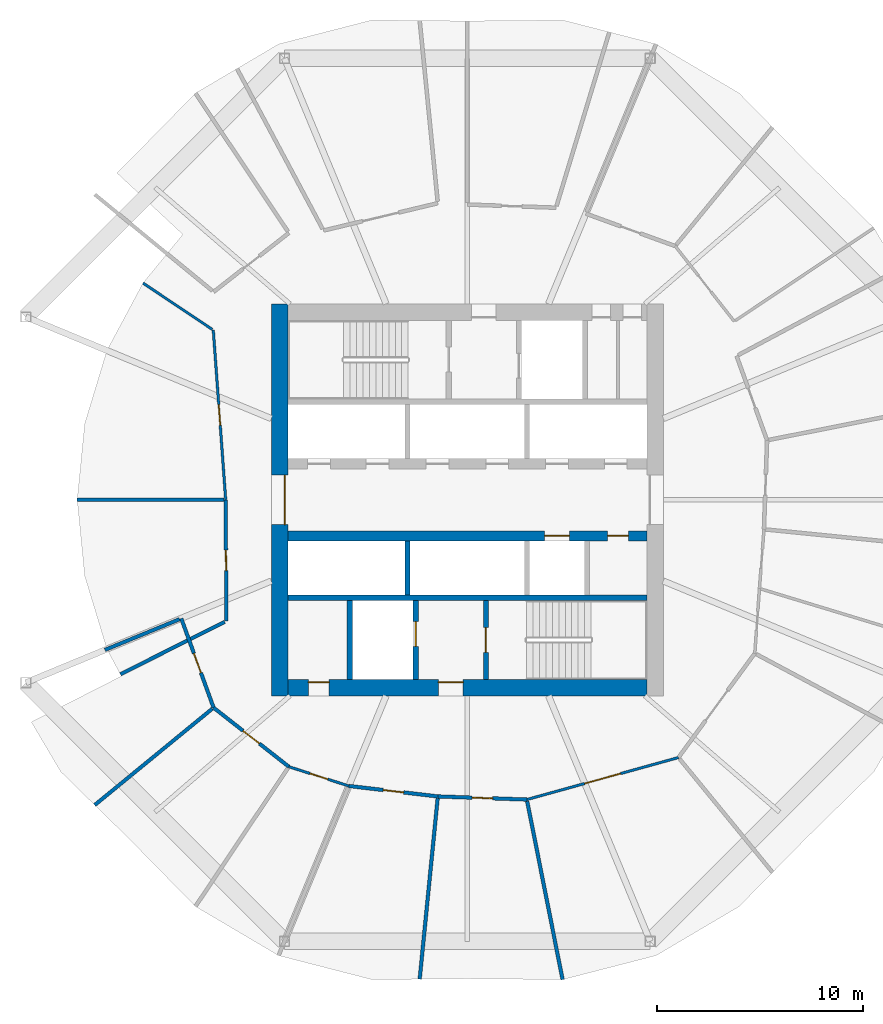
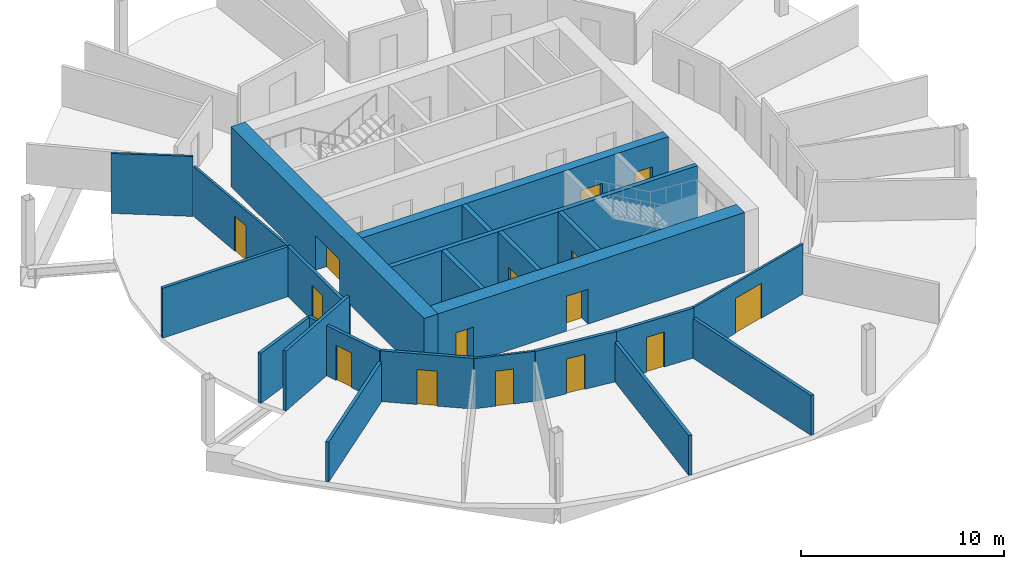
# One storey, part 4 of 10: 23 walls, 15 doors, 15 openings.
"""IFC4 building model written with IfcOpenShell, lengths in metres."""

import ifcopenshell
import ifcopenshell.guid

model = None  # the IFC model being written
_history = None  # IfcOwnerHistory: only IFC2X3 demands one
_inside = {}  # id of a spatial element -> (the spatial element, [elements in it])
_under = {}  # id of a project, library or spatial element -> (it, [spatial elements below it])
_declared = {}  # id of a project -> (the project, [libraries it declares])
_typed = {}  # id of a type object -> (the type object, [elements of that type])
_made_of = {}  # id of a material, layer set ... -> (it, [elements and type objects made of it])


def new_model(schema):
    """Start an empty IFC model of exactly this schema.

    Asked for "IFC4X3", IfcOpenShell would pick the latest addendum, in which some entities
    have other attributes; the version numbers below select the first issue.
    IFC2X3 requires an IfcOwnerHistory on every rooted entity: one is made here for all.
    """
    global model, _history
    if schema == "IFC4X3":
        model = ifcopenshell.file(schema_version=(4, 3, 0, 0))
    else:
        model = ifcopenshell.file(schema=schema)
    _inside.clear()
    _under.clear()
    _declared.clear()
    _typed.clear()
    _made_of.clear()
    _history = None
    if model.schema == "IFC2X3":
        org = make("IfcOrganization", Name="unknown")
        user = make(
            "IfcPersonAndOrganization",
            ThePerson=make("IfcPerson", FamilyName="unknown"),
            TheOrganization=org,
        )
        app = make(
            "IfcApplication",
            ApplicationDeveloper=org,
            Version="unknown",
            ApplicationFullName="unknown",
            ApplicationIdentifier="unknown",
        )
        _history = make(
            "IfcOwnerHistory",
            OwningUser=user,
            OwningApplication=app,
            ChangeAction="ADDED",
            CreationDate=0,
        )
    return model


def make(cls, **values):
    """One entity of the class cls with the attributes given. An attribute that is None is left unset."""
    return model.create_entity(
        cls, **{name: value for name, value in values.items() if value is not None}
    )


def rooted(cls, **values):
    """An entity with a GlobalId (a new one), such as an element, a storey or a relation."""
    return make(cls, GlobalId=ifcopenshell.guid.new(), OwnerHistory=_history, **values)


def si_unit(unit_type, name, prefix=None):
    """IfcSIUnit, for example si_unit("LENGTHUNIT", "METRE", prefix="MILLI")."""
    return make("IfcSIUnit", UnitType=unit_type, Prefix=prefix, Name=name)


def assignment(units):
    """IfcUnitAssignment: the units of a project."""
    return None if units is None else make("IfcUnitAssignment", Units=units)


def point(xyz):
    """IfcCartesianPoint."""
    return None if xyz is None else make("IfcCartesianPoint", Coordinates=xyz)


def direction(xyz):
    """IfcDirection."""
    return None if xyz is None else make("IfcDirection", DirectionRatios=xyz)


def frame(location, z_axis=None, x_axis=None):
    """IfcAxis2Placement3D, a coordinate frame: its origin and axes. An axis left out is left unset."""
    return make(
        "IfcAxis2Placement3D",
        Location=point(location),
        Axis=direction(z_axis),
        RefDirection=direction(x_axis),
    )


def frame_2d(location, x_axis=None):
    """IfcAxis2Placement2D, a coordinate frame in the plane: its origin and x axis."""
    return make(
        "IfcAxis2Placement2D", Location=point(location), RefDirection=direction(x_axis)
    )


def origin():
    """The frame at (0, 0, 0) with its axes left unset."""
    return frame((0.0, 0.0, 0.0))


def place(relative_to, where):
    """IfcLocalPlacement: puts the frame where relative to a parent placement (None: the world)."""
    return make(
        "IfcLocalPlacement", PlacementRelTo=relative_to, RelativePlacement=where
    )


def context(
    kind, dimensions, precision=None, world=None, true_north=None, identifier=None
):
    """IfcGeometricRepresentationContext, for example the 3D "Model" context."""
    return make(
        "IfcGeometricRepresentationContext",
        ContextIdentifier=identifier,
        ContextType=kind,
        CoordinateSpaceDimension=dimensions,
        Precision=precision,
        WorldCoordinateSystem=world,
        TrueNorth=true_north,
    )


def subcontext(parent, identifier, kind, view, scale=None):
    """IfcGeometricRepresentationSubContext, for example "Body" below "Model"."""
    return make(
        "IfcGeometricRepresentationSubContext",
        ContextIdentifier=identifier,
        ContextType=kind,
        ParentContext=parent,
        TargetScale=scale,
        TargetView=view,
    )


def project(units=None, contexts=None):
    """IfcProject with its units and contexts."""
    return rooted(
        "IfcProject",
        Name="project",
        RepresentationContexts=contexts,
        UnitsInContext=assignment(units),
    )


def spatial(cls, under=None, at=None, **own):
    """A site, building, storey or space (cls), placed at a placement, below another one or the project."""
    s = rooted(cls, ObjectPlacement=at, **own)
    if under is not None:
        _under.setdefault(under.id(), (under, []))[1].append(s)
    return s


def profile(cls, at=None, kind="AREA", **sizes):
    """A parametric profile (cls). Its sizes go by their IFC names, for example OverallWidth=200.0."""
    return make(cls, ProfileType=kind, Position=at, **sizes)


def rectangle(**sizes):
    """IfcRectangleProfileDef."""
    return profile("IfcRectangleProfileDef", **sizes)


def extrude(swept, where, along, depth):
    """IfcExtrudedAreaSolid: the profile swept, set in the frame where, extruded along a direction by depth."""
    return make(
        "IfcExtrudedAreaSolid",
        SweptArea=swept,
        Position=where,
        ExtrudedDirection=direction(along),
        Depth=depth,
    )


def shape(context_of_items, identifier, shape_type, items):
    """IfcShapeRepresentation: the items that make up one representation, for example the "Body"."""
    return make(
        "IfcShapeRepresentation",
        ContextOfItems=context_of_items,
        RepresentationIdentifier=identifier,
        RepresentationType=shape_type,
        Items=items,
    )


def material(Name=None, Category=None):
    """IfcMaterial."""
    return make("IfcMaterial", Name=Name, Category=Category)


def layer(
    of_material, thickness, ventilated=None, Name=None, Category=None, Priority=None
):
    """IfcMaterialLayer: one layer of a wall or slab, of a material (None: an air gap)."""
    return make(
        "IfcMaterialLayer",
        Material=of_material,
        LayerThickness=thickness,
        IsVentilated=ventilated,
        Name=Name,
        Category=Category,
        Priority=Priority,
    )


def layer_set(layers, Name=None):
    """IfcMaterialLayerSet."""
    return make("IfcMaterialLayerSet", MaterialLayers=layers, LayerSetName=Name)


def made_of(thing, what):
    """Note that an element or type object is made of a material, layer set ...; save() writes the relation."""
    if what is not None:
        _made_of.setdefault(what.id(), (what, []))[1].append(thing)
    return thing


def type_object(cls, material=None, **own):
    """A type object (cls), such as IfcWallType, which elements share."""
    return made_of(rooted(cls, **own), material)


def element(
    cls,
    number,
    at=None,
    inside=None,
    cuts=None,
    type_object=None,
    material=None,
    context=None,
    identifier="Body",
    shape_type=None,
    held_by="IfcProductDefinitionShape",
    body=None,
    shapes=None,
    **own,
):
    """One element of the class cls, such as IfcWall. Its Tag is "e" and its number.

    at: its placement. inside: the storey or other place that contains it. cuts: it is an
    opening in that element (IfcRelVoidsElement). A single representation is given by context,
    identifier, shape_type and body (its items); several are given by shapes. held_by: the class
    of the entity that holds the representations. save() writes the other relations.
    """
    e = rooted(cls, Tag="e%d" % number, ObjectPlacement=at, **own)
    if body is not None:
        shapes = [shape(context, identifier, shape_type, body)]
    if shapes is not None:
        e.Representation = make(held_by, Representations=shapes)
    if inside is not None:
        _inside.setdefault(inside.id(), (inside, []))[1].append(e)
    if cuts is not None:
        rooted(
            "IfcRelVoidsElement", RelatingBuildingElement=cuts, RelatedOpeningElement=e
        )
    if type_object is not None:
        _typed.setdefault(type_object.id(), (type_object, []))[1].append(e)
    return made_of(e, material)


def fill(opening, filler):
    """IfcRelFillsElement: the door or window that sits in an opening."""
    return rooted(
        "IfcRelFillsElement",
        RelatingOpeningElement=opening,
        RelatedBuildingElement=filler,
    )


def aggregate(whole, parts):
    """IfcRelAggregates: a whole, such as a stair, and the parts it consists of."""
    return rooted("IfcRelAggregates", RelatingObject=whole, RelatedObjects=parts)


def save(model, path):
    """Write the relations noted so far, then the file.

    IfcRelAggregates (storeys below a building ...), IfcRelContainedInSpatialStructure (elements
    in a storey), IfcRelDefinesByType, IfcRelAssociatesMaterial and IfcRelDeclares: one each for
    every whole, place, type object, material and project.
    """
    for whole, parts in _under.values():
        aggregate(whole, parts)
    for where, things in _inside.values():
        rooted(
            "IfcRelContainedInSpatialStructure",
            RelatedElements=things,
            RelatingStructure=where,
        )
    for kind, things in _typed.values():
        rooted("IfcRelDefinesByType", RelatedObjects=things, RelatingType=kind)
    for what, things in _made_of.values():
        rooted("IfcRelAssociatesMaterial", RelatedObjects=things, RelatingMaterial=what)
    for by, libraries in _declared.values():
        rooted("IfcRelDeclares", RelatingContext=by, RelatedDefinitions=libraries)
    model.write(path)


model = new_model("IFC4")

# Units and contexts
model_context = context("Model", 3, precision=1e-05, world=origin(), true_north=direction((0.0, 1.0)))
body_context = subcontext(model_context, "Body", "Model", "MODEL_VIEW")
ifc_project = project(units=[si_unit("LENGTHUNIT", "METRE"), si_unit("AREAUNIT", "SQUARE_METRE"), si_unit("VOLUMEUNIT", "CUBIC_METRE"), si_unit("PLANEANGLEUNIT", "RADIAN"), si_unit("MASSUNIT", "GRAM", prefix="KILO")], contexts=[model_context])

# Site, building, storey
site_placement = place(None, origin())
site = spatial("IfcSite", under=ifc_project, at=site_placement, CompositionType="ELEMENT")
building_placement = place(site_placement, origin())
building = spatial("IfcBuilding", under=site, at=building_placement, Name="Ogive Gate Towers", CompositionType="ELEMENT")
storey_placement = place(building_placement, frame((0.0, 0.0, 103.5)))
storey = spatial("IfcBuildingStorey", under=building, at=storey_placement, Name="L24", CompositionType="ELEMENT", Elevation=103.5)

# Walls
ifc_material_1 = material(Name="Gypsum board acoustic partition")
ifc_layer_1 = layer(ifc_material_1, 0.175048828125)
ifc_layer_set_1 = layer_set([ifc_layer_1], Name="Acoustic partition 175")
wall_type_1 = type_object("IfcWallType", Name="Acoustic partition 175", PredefinedType="PARTITIONING", material=ifc_layer_set_1)
wall_1_placement = place(storey_placement, frame((-54.909423828125, 0.0, 0.0), z_axis=(0.0, 0.0, 1.0), x_axis=(1.0, 0.0, 0.0)))
element("IfcWall", 1, at=wall_1_placement, inside=storey, type_object=wall_type_1, Name="Partition T1-L24-013", PredefinedType="PARTITIONING", context=body_context, shape_type="SweptSolid", body=[
    extrude(rectangle(XDim=7.111328125, YDim=0.175048828125, at=frame_2d((3.5556640625, 0.0))), origin(), (0.0, 0.0, 1.0), 3.0),
])
wall_2_placement = place(storey_placement, frame((-53.5634765625, -7.27490234375, 0.0), z_axis=(0.0, 0.0, 1.0), x_axis=(0.924753007922, 0.380567831456, 0.0)))
element("IfcWall", 2, at=wall_2_placement, inside=storey, type_object=wall_type_1, Name="Partition T1-L24-014", PredefinedType="PARTITIONING", context=body_context, shape_type="SweptSolid", body=[
    extrude(rectangle(XDim=3.913818359375, YDim=0.175048828125, at=frame_2d((1.95703125, 0.0))), origin(), (0.0, 0.0, 1.0), 3.010009765625),
])
wall_3_placement = place(storey_placement, frame((-52.817138671875, -8.45703125, 0.0), z_axis=(0.0, 0.0, 1.0), x_axis=(0.893407189566, 0.449247808712, 0.0)))
element("IfcWall", 3, at=wall_3_placement, inside=storey, type_object=wall_type_1, Name="Partition T1-L24-015", PredefinedType="PARTITIONING", context=body_context, shape_type="SweptSolid", body=[
    extrude(rectangle(XDim=5.66162109375, YDim=0.175048828125, at=frame_2d((2.830810546875, 0.0))), origin(), (0.0, 0.0, 1.0), 3.60009765625),
])
wall_4_placement = place(storey_placement, frame((-54.06005859375, -14.794677734375, 0.0), z_axis=(0.0, 0.0, 1.0), x_axis=(0.773581852643, 0.633696392022, 0.0)))
element("IfcWall", 4, at=wall_4_placement, inside=storey, type_object=wall_type_1, Name="Partition T1-L24-016", PredefinedType="PARTITIONING", context=body_context, shape_type="SweptSolid", body=[
    extrude(rectangle(XDim=7.361572265625, YDim=0.175048828125, at=frame_2d((3.6806640625, 0.0))), origin(), (0.0, 0.0, 1.0), 2.39990234375),
])
wall_5_placement = place(storey_placement, frame((-38.308837890625, -23.231689453125, 0.0), z_axis=(0.0, 0.0, 1.0), x_axis=(0.098886463601, 0.995098722397, 0.0)))
element("IfcWall", 5, at=wall_5_placement, inside=storey, type_object=wall_type_1, Name="Partition T1-L24-019", PredefinedType="PARTITIONING", context=body_context, shape_type="SweptSolid", body=[
    extrude(rectangle(XDim=8.8115234375, YDim=0.175048828125, at=frame_2d((4.40576171875, 0.0))), origin(), (0.0, 0.0, 1.0), 2.39990234375),
])
wall_6_placement = place(storey_placement, frame((-31.3818359375, -23.25537109375, 0.0), z_axis=(0.0, 0.0, 1.0), x_axis=(-0.194783861895, 0.980846189341, 0.0)))
element("IfcWall", 6, at=wall_6_placement, inside=storey, type_object=wall_type_1, Name="Partition T1-L24-020", PredefinedType="PARTITIONING", context=body_context, shape_type="SweptSolid", body=[
    extrude(rectangle(XDim=8.811279296875, YDim=0.175048828125, at=frame_2d((4.40576171875, 0.0))), origin(), (0.0, 0.0, 1.0), 2.39990234375),
])

# Wall, opening, door
wall_7_placement = place(storey_placement, frame((-33.115234375, -14.52685546875, 0.0), z_axis=(0.0, 0.0, 1.0), x_axis=(-0.999392759226, 0.034844121558, 0.0)))
wall_7 = element("IfcWall", 7, at=wall_7_placement, inside=storey, type_object=wall_type_1, Name="Partition T1-L24-033", PredefinedType="PARTITIONING", context=body_context, shape_type="SweptSolid", body=[
    extrude(rectangle(XDim=4.316162109375, YDim=0.175048828125, at=frame_2d((2.158203125, 0.0))), origin(), (0.0, 0.0, 1.0), 3.0),
])
opening_1_placement = place(wall_7_placement, frame((1.657958984375, 0.0, 0.0)))
opening_1 = element("IfcOpeningElement", 8, at=opening_1_placement, cuts=wall_7, Name="Opening T1-L24-D09", PredefinedType="OPENING", context=body_context, shape_type="SweptSolid", body=[
    extrude(rectangle(XDim=1.0, YDim=2.10009765625, at=frame_2d((0.5, 1.050048828125))), frame((0.0, 0.09765625, 0.0), z_axis=(0.0, -1.0, 0.0), x_axis=(1.0, 0.0, 0.0)), (0.0, 0.0, 1.0), 0.195068359375),
])
ifc_material_2 = material(Name="Timber door", Category="wood")
door_type_1 = type_object("IfcDoorType", Name="Door 1000", OperationType="NOTDEFINED", PredefinedType="DOOR", material=ifc_material_2)
door_1_placement = place(opening_1_placement, origin())
door_1 = element("IfcDoor", 9, at=door_1_placement, inside=storey, type_object=door_type_1, Name="Door T1-L24-D09", OperationType="SINGLE_SWING_LEFT", OverallHeight=2.10009765625, OverallWidth=1.0, PredefinedType="DOOR", context=body_context, shape_type="SweptSolid", body=[
    extrude(rectangle(XDim=1.0, YDim=2.10009765625, at=frame_2d((0.5, 1.050048828125))), frame((0.0, 0.02490234375, 0.0), z_axis=(0.0, -1.0, 0.0), x_axis=(1.0, 0.0, 0.0)), (0.0, 0.0, 1.0), 0.050048828125),
])
fill(opening_1, door_1)

wall_8_placement = place(storey_placement, frame((-37.4287109375, -14.37646484375, 0.0), z_axis=(0.0, 0.0, 1.0), x_axis=(-0.993141780999, 0.116916221432, 0.0)))
wall_8 = element("IfcWall", 10, at=wall_8_placement, inside=storey, type_object=wall_type_1, Name="Partition T1-L24-034", PredefinedType="PARTITIONING", context=body_context, shape_type="SweptSolid", body=[
    extrude(rectangle(XDim=4.345458984375, YDim=0.175048828125, at=frame_2d((2.1728515625, 0.0))), origin(), (0.0, 0.0, 1.0), 3.010009765625),
])
opening_2_placement = place(wall_8_placement, frame((1.673095703125, 0.0, 0.0)))
opening_2 = element("IfcOpeningElement", 11, at=opening_2_placement, cuts=wall_8, Name="Opening T1-L24-D10", PredefinedType="OPENING", context=body_context, shape_type="SweptSolid", body=[
    extrude(rectangle(XDim=1.0, YDim=2.10009765625, at=frame_2d((0.5, 1.050048828125))), frame((0.0, 0.09765625, 0.0), z_axis=(0.0, -1.0, 0.0), x_axis=(1.0, 0.0, 0.0)), (0.0, 0.0, 1.0), 0.195068359375),
])
door_2_placement = place(opening_2_placement, origin())
door_2 = element("IfcDoor", 12, at=door_2_placement, inside=storey, type_object=door_type_1, Name="Door T1-L24-D10", OperationType="SINGLE_SWING_LEFT", OverallHeight=2.10009765625, OverallWidth=1.0, PredefinedType="DOOR", context=body_context, shape_type="SweptSolid", body=[
    extrude(rectangle(XDim=1.0, YDim=2.10009765625, at=frame_2d((0.5, 1.050048828125))), frame((0.0, 0.02490234375, 0.0), z_axis=(0.0, -1.0, 0.0), x_axis=(1.0, 0.0, 0.0)), (0.0, 0.0, 1.0), 0.050048828125),
])
fill(opening_2, door_2)

wall_9_placement = place(storey_placement, frame((-44.649169921875, -12.935302734375, 0.0), z_axis=(0.0, 0.0, 1.0), x_axis=(-0.786899039994, 0.61708176189, 0.0)))
wall_9 = element("IfcWall", 13, at=wall_9_placement, inside=storey, type_object=wall_type_1, Name="Partition T1-L24-036", PredefinedType="PARTITIONING", context=body_context, shape_type="SweptSolid", body=[
    extrude(rectangle(XDim=4.636474609375, YDim=0.175048828125, at=frame_2d((2.318359375, 0.0))), origin(), (0.0, 0.0, 1.0), 3.050048828125),
])
opening_3_placement = place(wall_9_placement, frame((1.818115234375, 0.0, 0.0)))
opening_3 = element("IfcOpeningElement", 14, at=opening_3_placement, cuts=wall_9, Name="Opening T1-L24-D12", PredefinedType="OPENING", context=body_context, shape_type="SweptSolid", body=[
    extrude(rectangle(XDim=1.0, YDim=2.10009765625, at=frame_2d((0.5, 1.050048828125))), frame((0.0, 0.09765625, 0.0), z_axis=(0.0, -1.0, 0.0), x_axis=(1.0, 0.0, 0.0)), (0.0, 0.0, 1.0), 0.195068359375),
])
door_3_placement = place(opening_3_placement, origin())
door_3 = element("IfcDoor", 15, at=door_3_placement, inside=storey, type_object=door_type_1, Name="Door T1-L24-D12", OperationType="SINGLE_SWING_LEFT", OverallHeight=2.10009765625, OverallWidth=1.0, PredefinedType="DOOR", context=body_context, shape_type="SweptSolid", body=[
    extrude(rectangle(XDim=1.0, YDim=2.10009765625, at=frame_2d((0.5, 1.050048828125))), frame((0.0, 0.02490234375, 0.0), z_axis=(0.0, -1.0, 0.0), x_axis=(1.0, 0.0, 0.0)), (0.0, 0.0, 1.0), 0.050048828125),
])
fill(opening_3, door_3)

wall_10_placement = place(storey_placement, frame((-48.297607421875, -10.07421875, 0.0), z_axis=(0.0, 0.0, 1.0), x_axis=(-0.340561693815, 0.940222171992, 0.0)))
wall_10 = element("IfcWall", 16, at=wall_10_placement, inside=storey, type_object=wall_type_1, Name="Partition T1-L24-037", PredefinedType="PARTITIONING", context=body_context, shape_type="SweptSolid", body=[
    extrude(rectangle(XDim=4.597412109375, YDim=0.175048828125, at=frame_2d((2.298828125, 0.0))), origin(), (0.0, 0.0, 1.0), 3.010009765625),
])
opening_4_placement = place(wall_10_placement, frame((1.799072265625, 0.0, 0.0)))
opening_4 = element("IfcOpeningElement", 17, at=opening_4_placement, cuts=wall_10, Name="Opening T1-L24-D13", PredefinedType="OPENING", context=body_context, shape_type="SweptSolid", body=[
    extrude(rectangle(XDim=1.0, YDim=2.10009765625, at=frame_2d((0.5, 1.050048828125))), frame((0.0, 0.09765625, 0.0), z_axis=(0.0, -1.0, 0.0), x_axis=(1.0, 0.0, 0.0)), (0.0, 0.0, 1.0), 0.195068359375),
])
door_4_placement = place(opening_4_placement, origin())
door_4 = element("IfcDoor", 18, at=door_4_placement, inside=storey, type_object=door_type_1, Name="Door T1-L24-D13", OperationType="SINGLE_SWING_RIGHT", OverallHeight=2.10009765625, OverallWidth=1.0, PredefinedType="DOOR", context=body_context, shape_type="SweptSolid", body=[
    extrude(rectangle(XDim=1.0, YDim=2.10009765625, at=frame_2d((0.5, 1.050048828125))), frame((0.0, 0.02490234375, 0.0), z_axis=(0.0, -1.0, 0.0), x_axis=(1.0, 0.0, 0.0)), (0.0, 0.0, 1.0), 0.050048828125),
])
fill(opening_4, door_4)

wall_11_placement = place(storey_placement, frame((-47.680908203125, -5.874267578125, 0.0), z_axis=(0.0, 0.0, 1.0), x_axis=(-0.005028821329, 0.999987355398, 0.0)))
wall_11 = element("IfcWall", 19, at=wall_11_placement, inside=storey, type_object=wall_type_1, Name="Partition T1-L24-038", PredefinedType="PARTITIONING", context=body_context, shape_type="SweptSolid", body=[
    extrude(rectangle(XDim=5.874267578125, YDim=0.175048828125, at=frame_2d((2.93701171875, 0.0))), origin(), (0.0, 0.0, 1.0), 3.0),
])
opening_5_placement = place(wall_11_placement, frame((2.43701171875, 0.0, 0.0)))
opening_5 = element("IfcOpeningElement", 20, at=opening_5_placement, cuts=wall_11, Name="Opening T1-L24-D14", PredefinedType="OPENING", context=body_context, shape_type="SweptSolid", body=[
    extrude(rectangle(XDim=1.0, YDim=2.10009765625, at=frame_2d((0.5, 1.050048828125))), frame((0.0, 0.09765625, 0.0), z_axis=(0.0, -1.0, 0.0), x_axis=(1.0, 0.0, 0.0)), (0.0, 0.0, 1.0), 0.195068359375),
])
door_5_placement = place(opening_5_placement, origin())
door_5 = element("IfcDoor", 21, at=door_5_placement, inside=storey, type_object=door_type_1, Name="Door T1-L24-D14", OperationType="SINGLE_SWING_RIGHT", OverallHeight=2.10009765625, OverallWidth=1.0, PredefinedType="DOOR", context=body_context, shape_type="SweptSolid", body=[
    extrude(rectangle(XDim=1.0, YDim=2.10009765625, at=frame_2d((0.5, 1.050048828125))), frame((0.0, 0.02490234375, 0.0), z_axis=(0.0, -1.0, 0.0), x_axis=(1.0, 0.0, 0.0)), (0.0, 0.0, 1.0), 0.050048828125),
])
fill(opening_5, door_5)

# Wall, openings, doors
ifc_material_3 = material(Name="Concrete C60/75", Category="concrete")
ifc_layer_2 = layer(ifc_material_3, 0.800048828125)
ifc_layer_set_2 = layer_set([ifc_layer_2], Name="Core wall 800 mm")
wall_type_2 = type_object("IfcWallType", Name="Core wall 800 mm", PredefinedType="SHEAR", material=ifc_layer_set_2)
wall_12_placement = place(storey_placement, frame((-44.699951171875, -9.10009765625, 0.0), z_axis=(0.0, 0.0, 1.0), x_axis=(1.0, 0.0, 0.0)))
wall_12 = element("IfcWall", 22, at=wall_12_placement, inside=storey, type_object=wall_type_2, Name="T1 L24 Core wall 800 mm", PredefinedType="SHEAR", context=body_context, shape_type="SweptSolid", body=[
    extrude(rectangle(XDim=17.39990234375, YDim=0.800048828125, at=frame_2d((8.699951171875, 0.0))), origin(), (0.0, 0.0, 1.0), 3.60009765625),
])
opening_6_placement = place(wall_12_placement, frame((7.300048828125, 0.0, 0.0)))
opening_6 = element("IfcOpeningElement", 23, at=opening_6_placement, cuts=wall_12, Name="Opening KD-T1-L24-16", PredefinedType="OPENING", context=body_context, shape_type="SweptSolid", body=[
    extrude(rectangle(XDim=1.199951171875, YDim=2.10009765625, at=frame_2d((0.60009765625, 1.050048828125))), frame((0.0, 0.41015625, 0.0), z_axis=(0.0, -1.0, 0.0), x_axis=(1.0, 0.0, 0.0)), (0.0, 0.0, 1.0), 0.820068359375),
])
opening_7_placement = place(wall_12_placement, frame((1.0, 0.0, 0.0)))
opening_7 = element("IfcOpeningElement", 24, at=opening_7_placement, cuts=wall_12, Name="Opening KD-T1-L24-19", PredefinedType="OPENING", context=body_context, shape_type="SweptSolid", body=[
    extrude(rectangle(XDim=1.0, YDim=2.10009765625, at=frame_2d((0.5, 1.050048828125))), frame((0.0, 0.41015625, 0.0), z_axis=(0.0, -1.0, 0.0), x_axis=(1.0, 0.0, 0.0)), (0.0, 0.0, 1.0), 0.820068359375),
])
door_type_2 = type_object("IfcDoorType", Name="Accessible WC door 1000 x 2100", OperationType="NOTDEFINED", PredefinedType="DOOR", material=ifc_material_2)
door_6_placement = place(opening_7_placement, origin())
door_6 = element("IfcDoor", 25, at=door_6_placement, inside=storey, type_object=door_type_2, Name="T1 L24 Core door", OperationType="SINGLE_SWING_RIGHT", OverallHeight=2.10009765625, OverallWidth=1.0, PredefinedType="DOOR", context=body_context, shape_type="SweptSolid", body=[
    extrude(rectangle(XDim=1.0, YDim=2.10009765625, at=frame_2d((0.5, 1.050048828125))), frame((0.0, 0.27490234375, 0.0), z_axis=(0.0, -1.0, 0.0), x_axis=(1.0, 0.0, 0.0)), (0.0, 0.0, 1.0), 0.050048828125),
])
fill(opening_7, door_6)
ifc_material_4 = material(Name="Steel fire door", Category="steel")
door_type_3 = type_object("IfcDoorType", Name="Core door FD60S 1200 x 2100", OperationType="NOTDEFINED", PredefinedType="DOOR", material=ifc_material_4)
door_7_placement = place(opening_6_placement, origin())
door_7 = element("IfcDoor", 26, at=door_7_placement, inside=storey, type_object=door_type_3, Name="T1 L24 Fire-fighting lobby door", OperationType="SINGLE_SWING_LEFT", OverallHeight=2.10009765625, OverallWidth=1.199951171875, PredefinedType="DOOR", context=body_context, shape_type="SweptSolid", body=[
    extrude(rectangle(XDim=1.199951171875, YDim=2.10009765625, at=frame_2d((0.60009765625, 1.050048828125))), frame((0.0, 0.27490234375, 0.0), z_axis=(0.0, -1.0, 0.0), x_axis=(1.0, 0.0, 0.0)), (0.0, 0.0, 1.0), 0.050048828125),
])
fill(opening_6, door_7)

# Wall, opening, door
wall_13_placement = place(storey_placement, frame((-45.10009765625, -9.5, 0.0), z_axis=(0.0, 0.0, 1.0), x_axis=(0.0, 1.0, 0.0)))
wall_13 = element("IfcWall", 27, at=wall_13_placement, inside=storey, type_object=wall_type_2, Name="T1 L24 Core wall 800 mm", PredefinedType="SHEAR", context=body_context, shape_type="SweptSolid", body=[
    extrude(rectangle(XDim=19.0, YDim=0.800048828125, at=frame_2d((9.5, 0.0))), origin(), (0.0, 0.0, 1.0), 3.60009765625),
])
opening_8_placement = place(wall_13_placement, frame((8.300048828125, 0.0, 0.0)))
opening_8 = element("IfcOpeningElement", 28, at=opening_8_placement, cuts=wall_13, Name="Opening KD-T1-L24-01", PredefinedType="OPENING", context=body_context, shape_type="SweptSolid", body=[
    extrude(rectangle(XDim=2.39990234375, YDim=2.10009765625, at=frame_2d((1.199951171875, 1.050048828125))), frame((0.0, 0.41015625, 0.0), z_axis=(0.0, -1.0, 0.0), x_axis=(1.0, 0.0, 0.0)), (0.0, 0.0, 1.0), 0.820068359375),
])
door_type_4 = type_object("IfcDoorType", Name="Core double door FD60S 2400 x 2100", OperationType="DOUBLE_DOOR_SINGLE_SWING", PredefinedType="DOOR", material=ifc_material_4)
door_8_placement = place(opening_8_placement, origin())
door_8 = element("IfcDoor", 29, at=door_8_placement, inside=storey, type_object=door_type_4, Name="T1 L24 Core door double", OperationType="DOUBLE_DOOR_SINGLE_SWING", OverallHeight=2.10009765625, OverallWidth=2.39990234375, PredefinedType="DOOR", context=body_context, shape_type="SweptSolid", body=[
    extrude(rectangle(XDim=2.39990234375, YDim=2.10009765625, at=frame_2d((1.199951171875, 1.050048828125))), frame((0.0, -0.22509765625, 0.0), z_axis=(0.0, -1.0, 0.0), x_axis=(1.0, 0.0, 0.0)), (0.0, 0.0, 1.0), 0.050048828125),
])
fill(opening_8, door_8)

# Wall
ifc_material_5 = material(Name="Gypsum board partition")
ifc_layer_3 = layer(ifc_material_5, 0.125)
ifc_layer_set_3 = layer_set([ifc_layer_3], Name="Partition 125")
wall_type_3 = type_object("IfcWallType", Name="Partition 125", PredefinedType="PARTITIONING", material=ifc_layer_set_3)
wall_14_placement = place(storey_placement, frame((-51.72265625, 10.505615234375, 0.0), z_axis=(0.0, 0.0, 1.0), x_axis=(0.831482605383, -0.555550787008, 0.0)))
element("IfcWall", 30, at=wall_14_placement, inside=storey, type_object=wall_type_3, Name="Partition T1-L24-012", PredefinedType="PARTITIONING", context=body_context, shape_type="SweptSolid", body=[
    extrude(rectangle(XDim=4.0390625, YDim=0.125, at=frame_2d((2.01953125, 0.0))), origin(), (0.0, 0.0, 1.0), 3.60009765625),
])

# Wall, opening, door
wall_15_placement = place(storey_placement, frame((-25.767333984375, -12.490966796875, 0.0), z_axis=(0.0, 0.0, 1.0), x_axis=(-0.963693396875, -0.267011304666, 0.0)))
wall_15 = element("IfcWall", 31, at=wall_15_placement, inside=storey, type_object=wall_type_3, Name="Partition T1-L24-032", PredefinedType="PARTITIONING", context=body_context, shape_type="SweptSolid", body=[
    extrude(rectangle(XDim=7.624755859375, YDim=0.125, at=frame_2d((3.8125, 0.0))), origin(), (0.0, 0.0, 1.0), 3.010009765625),
])
opening_9_placement = place(wall_15_placement, frame((2.912109375, 0.0, 0.0)))
opening_9 = element("IfcOpeningElement", 32, at=opening_9_placement, cuts=wall_15, Name="Opening T1-L24-D08", PredefinedType="OPENING", context=body_context, shape_type="SweptSolid", body=[
    extrude(rectangle(XDim=1.800048828125, YDim=2.10009765625, at=frame_2d((0.89990234375, 1.050048828125))), frame((0.0, 0.072509765625, 0.0), z_axis=(0.0, -1.0, 0.0), x_axis=(1.0, 0.0, 0.0)), (0.0, 0.0, 1.0), 0.14501953125),
])
door_type_5 = type_object("IfcDoorType", Name="Door pair 1800", OperationType="NOTDEFINED", PredefinedType="DOOR", material=ifc_material_2)
door_9_placement = place(opening_9_placement, origin())
door_9 = element("IfcDoor", 33, at=door_9_placement, inside=storey, type_object=door_type_5, Name="Door T1-L24-D08", OperationType="DOUBLE_DOOR_DOUBLE_SWING", OverallHeight=2.10009765625, OverallWidth=1.800048828125, PredefinedType="DOOR", context=body_context, shape_type="SweptSolid", body=[
    extrude(rectangle(XDim=1.800048828125, YDim=2.10009765625, at=frame_2d((0.89990234375, 1.050048828125))), frame((0.0, 0.02490234375, 0.0), z_axis=(0.0, -1.0, 0.0), x_axis=(1.0, 0.0, 0.0)), (0.0, 0.0, 1.0), 0.050048828125),
])
fill(opening_9, door_9)

wall_16_placement = place(storey_placement, frame((-41.744384765625, -13.868408203125, 0.0), z_axis=(0.0, 0.0, 1.0), x_axis=(-0.952083496406, 0.305838218462, 0.0)))
wall_16 = element("IfcWall", 34, at=wall_16_placement, inside=storey, type_object=wall_type_3, Name="Partition T1-L24-035", PredefinedType="PARTITIONING", context=body_context, shape_type="SweptSolid", body=[
    extrude(rectangle(XDim=3.051025390625, YDim=0.125, at=frame_2d((1.525390625, 0.0))), origin(), (0.0, 0.0, 1.0), 3.010009765625),
])
opening_10_placement = place(wall_16_placement, frame((1.074951171875, 0.0, 0.0)))
opening_10 = element("IfcOpeningElement", 35, at=opening_10_placement, cuts=wall_16, Name="Opening T1-L24-D11", PredefinedType="OPENING", context=body_context, shape_type="SweptSolid", body=[
    extrude(rectangle(XDim=0.89990234375, YDim=2.10009765625, at=frame_2d((0.449951171875, 1.050048828125))), frame((0.0, 0.072509765625, 0.0), z_axis=(0.0, -1.0, 0.0), x_axis=(1.0, 0.0, 0.0)), (0.0, 0.0, 1.0), 0.14501953125),
])
door_type_6 = type_object("IfcDoorType", Name="Door 900", OperationType="NOTDEFINED", PredefinedType="DOOR", material=ifc_material_2)
door_10_placement = place(opening_10_placement, origin())
door_10 = element("IfcDoor", 36, at=door_10_placement, inside=storey, type_object=door_type_6, Name="Door T1-L24-D11", OperationType="SINGLE_SWING_LEFT", OverallHeight=2.10009765625, OverallWidth=0.89990234375, PredefinedType="DOOR", context=body_context, shape_type="SweptSolid", body=[
    extrude(rectangle(XDim=0.89990234375, YDim=2.10009765625, at=frame_2d((0.449951171875, 1.050048828125))), frame((0.0, 0.02490234375, 0.0), z_axis=(0.0, -1.0, 0.0), x_axis=(1.0, 0.0, 0.0)), (0.0, 0.0, 1.0), 0.050048828125),
])
fill(opening_10, door_10)

wall_17_placement = place(storey_placement, frame((-47.71044921875, 0.0, 0.0), z_axis=(0.0, 0.0, 1.0), x_axis=(-0.072956969329, 0.997335089439, 0.0)))
wall_17 = element("IfcWall", 37, at=wall_17_placement, inside=storey, type_object=wall_type_3, Name="Partition T1-L24-039", PredefinedType="PARTITIONING", context=body_context, shape_type="SweptSolid", body=[
    extrude(rectangle(XDim=8.248779296875, YDim=0.125, at=frame_2d((4.12451171875, 0.0))), origin(), (0.0, 0.0, 1.0), 3.0),
])
opening_11_placement = place(wall_17_placement, frame((3.6240234375, 0.0, 0.0)))
opening_11 = element("IfcOpeningElement", 38, at=opening_11_placement, cuts=wall_17, Name="Opening T1-L24-D15", PredefinedType="OPENING", context=body_context, shape_type="SweptSolid", body=[
    extrude(rectangle(XDim=1.0, YDim=2.10009765625, at=frame_2d((0.5, 1.050048828125))), frame((0.0, 0.072509765625, 0.0), z_axis=(0.0, -1.0, 0.0), x_axis=(1.0, 0.0, 0.0)), (0.0, 0.0, 1.0), 0.14501953125),
])
door_11_placement = place(opening_11_placement, origin())
door_11 = element("IfcDoor", 39, at=door_11_placement, inside=storey, type_object=door_type_1, Name="Door T1-L24-D15", OperationType="SINGLE_SWING_LEFT", OverallHeight=2.10009765625, OverallWidth=1.0, PredefinedType="DOOR", context=body_context, shape_type="SweptSolid", body=[
    extrude(rectangle(XDim=1.0, YDim=2.10009765625, at=frame_2d((0.5, 1.050048828125))), frame((0.0, 0.02490234375, 0.0), z_axis=(0.0, -1.0, 0.0), x_axis=(1.0, 0.0, 0.0)), (0.0, 0.0, 1.0), 0.050048828125),
])
fill(opening_11, door_11)

# Walls
ifc_layer_4 = layer(ifc_material_3, 0.25)
ifc_layer_set_4 = layer_set([ifc_layer_4], Name="Shaft wall 250 mm")
wall_type_4 = type_object("IfcWallType", Name="Shaft wall 250 mm", PredefinedType="SHEAR", material=ifc_layer_set_4)
wall_18_placement = place(storey_placement, frame((-44.699951171875, -4.75, 0.0), z_axis=(0.0, 0.0, 1.0), x_axis=(1.0, 0.0, 0.0)))
element("IfcWall", 40, at=wall_18_placement, inside=storey, type_object=wall_type_4, Name="T1 L24 Shaft wall 250 mm", PredefinedType="SHEAR", context=body_context, shape_type="SweptSolid", body=[
    extrude(rectangle(XDim=17.39990234375, YDim=0.25, at=frame_2d((8.699951171875, 0.0))), origin(), (0.0, 0.0, 1.0), 3.60009765625),
])
wall_19_placement = place(storey_placement, frame((-41.699951171875, -8.699951171875, 0.0), z_axis=(0.0, 0.0, 1.0), x_axis=(0.0, 1.0, 0.0)))
element("IfcWall", 41, at=wall_19_placement, inside=storey, type_object=wall_type_4, Name="T1 L24 Shaft wall 250 mm", PredefinedType="SHEAR", context=body_context, shape_type="SweptSolid", body=[
    extrude(rectangle(XDim=3.824951171875, YDim=0.25, at=frame_2d((1.91259765625, 0.0))), origin(), (0.0, 0.0, 1.0), 3.60009765625),
])
wall_20_placement = place(storey_placement, frame((-38.89990234375, -4.625, 0.0), z_axis=(0.0, 0.0, 1.0), x_axis=(0.0, 1.0, 0.0)))
element("IfcWall", 42, at=wall_20_placement, inside=storey, type_object=wall_type_4, Name="T1 L24 Shaft wall 250 mm", PredefinedType="SHEAR", context=body_context, shape_type="SweptSolid", body=[
    extrude(rectangle(XDim=2.625, YDim=0.25, at=frame_2d((1.3125, 0.0))), origin(), (0.0, 0.0, 1.0), 3.60009765625),
])

# Wall, opening, door
wall_21_placement = place(storey_placement, frame((-38.5, -8.699951171875, 0.0), z_axis=(0.0, 0.0, 1.0), x_axis=(0.0, 1.0, 0.0)))
wall_21 = element("IfcWall", 43, at=wall_21_placement, inside=storey, type_object=wall_type_4, Name="T1 L24 Shaft wall 250 mm", PredefinedType="SHEAR", context=body_context, shape_type="SweptSolid", body=[
    extrude(rectangle(XDim=3.824951171875, YDim=0.25, at=frame_2d((1.91259765625, 0.0))), origin(), (0.0, 0.0, 1.0), 3.60009765625),
])
opening_12_placement = place(wall_21_placement, frame((1.60009765625, 0.0, 0.0)))
opening_12 = element("IfcOpeningElement", 44, at=opening_12_placement, cuts=wall_21, Name="Opening LD-T1-L24-11", PredefinedType="OPENING", context=body_context, shape_type="SweptSolid", body=[
    extrude(rectangle(XDim=1.199951171875, YDim=2.10009765625, at=frame_2d((0.60009765625, 1.050048828125))), frame((0.0, 0.135009765625, 0.0), z_axis=(0.0, -1.0, 0.0), x_axis=(1.0, 0.0, 0.0)), (0.0, 0.0, 1.0), 0.27001953125),
])
ifc_material_6 = material(Name="Stainless steel landing door", Category="steel")
door_type_7 = type_object("IfcDoorType", Name="Landing door 1200 x 2100", OperationType="SLIDING_TO_LEFT", PredefinedType="DOOR", material=ifc_material_6)
door_12_placement = place(opening_12_placement, origin())
door_12 = element("IfcDoor", 45, at=door_12_placement, inside=storey, type_object=door_type_7, Name="T1 L24 Lift landing door FF2", OperationType="SLIDING_TO_LEFT", OverallHeight=2.10009765625, OverallWidth=1.199951171875, PredefinedType="DOOR", context=body_context, shape_type="SweptSolid", body=[
    extrude(rectangle(XDim=1.199951171875, YDim=2.10009765625, at=frame_2d((0.60009765625, 1.050048828125))), frame((0.0, 0.02490234375, 0.0), z_axis=(0.0, -1.0, 0.0), x_axis=(1.0, 0.0, 0.0)), (0.0, 0.0, 1.0), 0.050048828125),
])
fill(opening_12, door_12)

wall_22_placement = place(storey_placement, frame((-35.10009765625, -8.699951171875, 0.0), z_axis=(0.0, 0.0, 1.0), x_axis=(0.0, 1.0, 0.0)))
wall_22 = element("IfcWall", 46, at=wall_22_placement, inside=storey, type_object=wall_type_4, Name="T1 L24 Shaft wall 250 mm", PredefinedType="SHEAR", context=body_context, shape_type="SweptSolid", body=[
    extrude(rectangle(XDim=3.824951171875, YDim=0.25, at=frame_2d((1.91259765625, 0.0))), origin(), (0.0, 0.0, 1.0), 3.60009765625),
])
opening_13_placement = place(wall_22_placement, frame((1.300048828125, 0.0, 0.0)))
opening_13 = element("IfcOpeningElement", 47, at=opening_13_placement, cuts=wall_22, Name="Opening KD-T1-L24-14", PredefinedType="OPENING", context=body_context, shape_type="SweptSolid", body=[
    extrude(rectangle(XDim=1.199951171875, YDim=2.10009765625, at=frame_2d((0.60009765625, 1.050048828125))), frame((0.0, 0.135009765625, 0.0), z_axis=(0.0, -1.0, 0.0), x_axis=(1.0, 0.0, 0.0)), (0.0, 0.0, 1.0), 0.27001953125),
])
door_13_placement = place(opening_13_placement, origin())
door_13 = element("IfcDoor", 48, at=door_13_placement, inside=storey, type_object=door_type_3, Name="T1 L24 Stair door", OperationType="SINGLE_SWING_LEFT", OverallHeight=2.10009765625, OverallWidth=1.199951171875, PredefinedType="DOOR", context=body_context, shape_type="SweptSolid", body=[
    extrude(rectangle(XDim=1.199951171875, YDim=2.10009765625, at=frame_2d((0.60009765625, 1.050048828125))), frame((0.0, 0.02490234375, 0.0), z_axis=(0.0, -1.0, 0.0), x_axis=(1.0, 0.0, 0.0)), (0.0, 0.0, 1.0), 0.050048828125),
])
fill(opening_13, door_13)

# Wall, openings, doors
ifc_layer_5 = layer(ifc_material_3, 0.5)
ifc_layer_set_5 = layer_set([ifc_layer_5], Name="Spine wall 500 mm")
wall_type_5 = type_object("IfcWallType", Name="Spine wall 500 mm", PredefinedType="SHEAR", material=ifc_layer_set_5)
wall_23_placement = place(storey_placement, frame((-44.699951171875, -1.75, 0.0), z_axis=(0.0, 0.0, 1.0), x_axis=(1.0, 0.0, 0.0)))
wall_23 = element("IfcWall", 49, at=wall_23_placement, inside=storey, type_object=wall_type_5, Name="T1 L24 Spine wall 500 mm", PredefinedType="SHEAR", context=body_context, shape_type="SweptSolid", body=[
    extrude(rectangle(XDim=17.39990234375, YDim=0.5, at=frame_2d((8.699951171875, 0.0))), origin(), (0.0, 0.0, 1.0), 3.60009765625),
])
opening_14_placement = place(wall_23_placement, frame((12.449951171875, 0.0, 0.0)))
opening_14 = element("IfcOpeningElement", 50, at=opening_14_placement, cuts=wall_23, Name="Opening LD-T1-L24-09", PredefinedType="OPENING", context=body_context, shape_type="SweptSolid", body=[
    extrude(rectangle(XDim=1.199951171875, YDim=2.10009765625, at=frame_2d((0.60009765625, 1.050048828125))), frame((0.0, 0.260009765625, 0.0), z_axis=(0.0, -1.0, 0.0), x_axis=(1.0, 0.0, 0.0)), (0.0, 0.0, 1.0), 0.52001953125),
])
opening_15_placement = place(wall_23_placement, frame((15.5, 0.0, 0.0)))
opening_15 = element("IfcOpeningElement", 51, at=opening_15_placement, cuts=wall_23, Name="Opening KD-T1-L24-12", PredefinedType="OPENING", context=body_context, shape_type="SweptSolid", body=[
    extrude(rectangle(XDim=1.0, YDim=2.10009765625, at=frame_2d((0.5, 1.050048828125))), frame((0.0, 0.260009765625, 0.0), z_axis=(0.0, -1.0, 0.0), x_axis=(1.0, 0.0, 0.0)), (0.0, 0.0, 1.0), 0.52001953125),
])
door_type_8 = type_object("IfcDoorType", Name="Core door FD60S 1000 x 2100", OperationType="NOTDEFINED", PredefinedType="DOOR", material=ifc_material_4)
door_14_placement = place(opening_15_placement, origin())
door_14 = element("IfcDoor", 52, at=door_14_placement, inside=storey, type_object=door_type_8, Name="T1 L24 Core door", OperationType="SINGLE_SWING_LEFT", OverallHeight=2.10009765625, OverallWidth=1.0, PredefinedType="DOOR", context=body_context, shape_type="SweptSolid", body=[
    extrude(rectangle(XDim=1.0, YDim=2.10009765625, at=frame_2d((0.5, 1.050048828125))), frame((0.0, 0.02490234375, 0.0), z_axis=(0.0, -1.0, 0.0), x_axis=(1.0, 0.0, 0.0)), (0.0, 0.0, 1.0), 0.050048828125),
])
fill(opening_15, door_14)
door_15_placement = place(opening_14_placement, origin())
door_15 = element("IfcDoor", 53, at=door_15_placement, inside=storey, type_object=door_type_7, Name="T1 L24 Lift landing door SVC", OperationType="SLIDING_TO_LEFT", OverallHeight=2.10009765625, OverallWidth=1.199951171875, PredefinedType="DOOR", context=body_context, shape_type="SweptSolid", body=[
    extrude(rectangle(XDim=1.199951171875, YDim=2.10009765625, at=frame_2d((0.60009765625, 1.050048828125))), frame((0.0, 0.02490234375, 0.0), z_axis=(0.0, -1.0, 0.0), x_axis=(1.0, 0.0, 0.0)), (0.0, 0.0, 1.0), 0.050048828125),
])
fill(opening_14, door_15)

save(model, "model.ifc")
